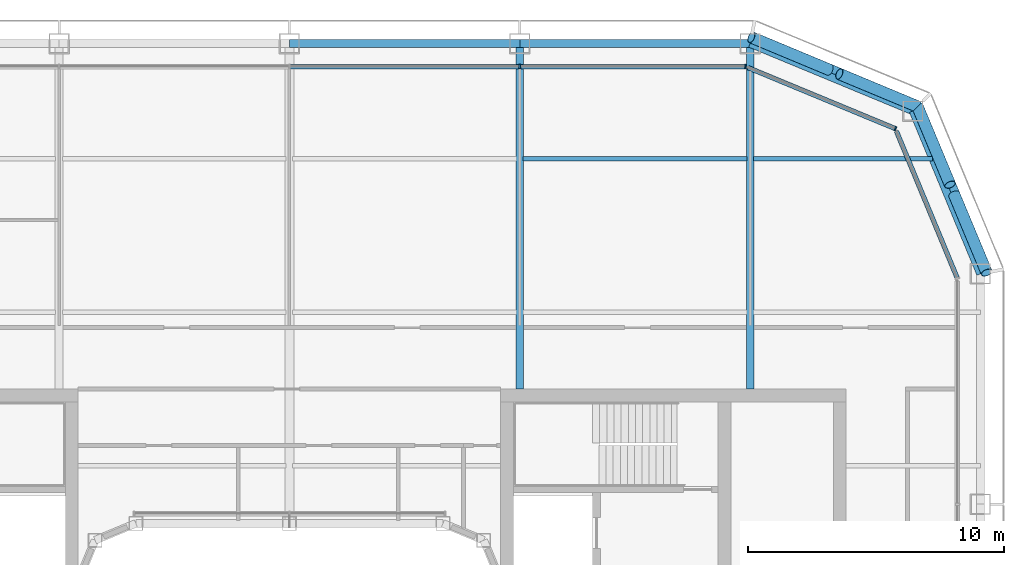
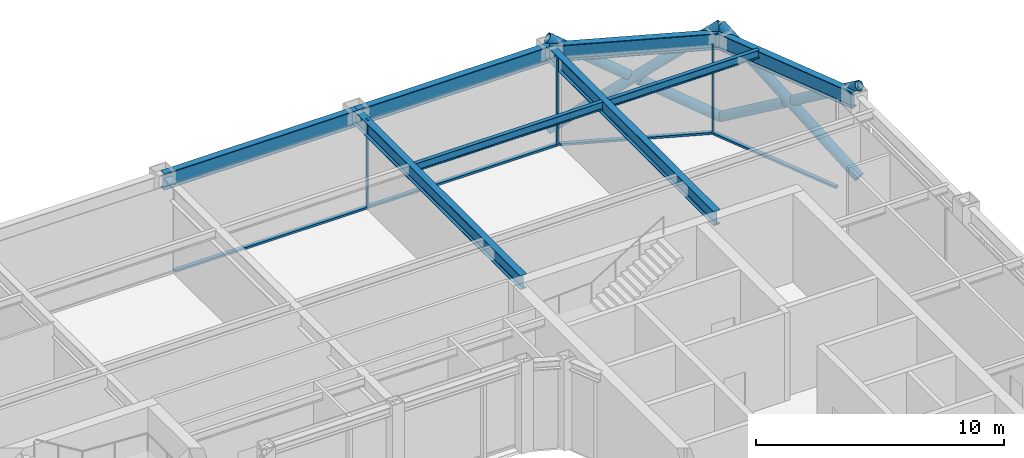
# One storey, part 10 of 23: 13 members, 8 beams, 3 elements without a shape of their own.
"""IFC4 building model written with IfcOpenShell, lengths in metres."""

from ifc_helpers import new_model, si_unit, direction, frame, origin, origin_2d, place, context, subcontext, project, spatial, rectangle, hollow_circle, i_section, extrude, material, layer, layer_set, material_profile, profile_set, type_object, element, aggregate, save


model = new_model("IFC4")

# Units and contexts
model_context = context("Model", 3, precision=1e-05, world=origin(), true_north=direction((0.0, 1.0)))
body_context = subcontext(model_context, "Body", "Model", "MODEL_VIEW")
ifc_project = project(units=[si_unit("LENGTHUNIT", "METRE"), si_unit("AREAUNIT", "SQUARE_METRE"), si_unit("VOLUMEUNIT", "CUBIC_METRE"), si_unit("PLANEANGLEUNIT", "RADIAN"), si_unit("MASSUNIT", "GRAM", prefix="KILO")], contexts=[model_context])

# Site, building, storey
site_placement = place(None, origin())
site = spatial("IfcSite", under=ifc_project, at=site_placement, CompositionType="ELEMENT")
building_placement = place(site_placement, origin())
building = spatial("IfcBuilding", under=site, at=building_placement, Name="Siwar Civic Tower", CompositionType="ELEMENT")
storey_placement = place(building_placement, frame((0.0, 0.0, 251.199951171875)))
storey = spatial("IfcBuildingStorey", under=building, at=storey_placement, Name="L54", CompositionType="ELEMENT", Elevation=251.199951171875)

# Curtain wall, member
ifc_material_1 = material(Name="Aluminium clad insulated panel", Category="aluminium")
ifc_layer_1 = layer(ifc_material_1, 0.179931640625)
ifc_layer_set_1 = layer_set([ifc_layer_1], Name="Aluminium clad insulated panel")
curtain_wall_type_1 = type_object("IfcCurtainWallType", Name="ENV-CW-CX", PredefinedType="NOTDEFINED", material=ifc_layer_set_1)
curtain_wall_1_placement = place(storey_placement, origin())
curtain_wall_1 = element("IfcCurtainWall", 1, at=curtain_wall_1_placement, inside=storey, type_object=curtain_wall_type_1, Name="Curtain wall C NE2", PredefinedType="NOTDEFINED")
ifc_material_2 = material(Name="Aluminium 6063-T6", Category="aluminium")
ifc_material_profile_1 = material_profile(ifc_material_2, rectangle(XDim=0.179931640625, YDim=0.06005859375, at=origin_2d()), Name="AL 180x60")
ifc_profile_set_1 = profile_set([ifc_material_profile_1], Name="Aluminium 6063-T6")
member_type_1 = type_object("IfcMemberType", Name="ENV-MULLION-C", PredefinedType="MULLION", material=ifc_profile_set_1)
member_1_placement = place(storey_placement, frame((23.675048828125, 23.675048828125, 0.0), z_axis=(0.0, 0.0, 1.0), x_axis=(-0.382683432365, -0.923879532511, 0.0)))
member_1 = element("IfcMember", 2, at=member_1_placement, type_object=member_type_1, Name="Mullion C NE2 1", PredefinedType="MULLION", context=body_context, shape_type="SweptSolid", body=[
    extrude(rectangle(XDim=0.179931640625, YDim=0.06005859375, at=origin_2d()), origin(), (0.0, 0.0, 1.0), 4.35009765625),
])

# Curtain wall, members
ifc_material_3 = material(Name="Aluminium and glass", Category="aluminium")
ifc_layer_2 = layer(ifc_material_3, 0.179931640625)
ifc_layer_set_2 = layer_set([ifc_layer_2], Name="Aluminium and glass")
curtain_wall_type_2 = type_object("IfcCurtainWallType", Name="ENV-CW-C", PredefinedType="NOTDEFINED", material=ifc_layer_set_2)
curtain_wall_2_placement = place(storey_placement, origin())
curtain_wall_2 = element("IfcCurtainWall", 3, at=curtain_wall_2_placement, inside=storey, type_object=curtain_wall_type_2, Name="Curtain wall C N", PredefinedType="NOTDEFINED")
member_2_placement = place(storey_placement, frame((17.821044921875, 26.10009765625, 0.0), z_axis=(0.0, 0.0, 1.0), x_axis=(0.0, -1.0, 0.0)))
member_2 = element("IfcMember", 4, at=member_2_placement, type_object=member_type_1, Name="Mullion C N 1", PredefinedType="MULLION", context=body_context, shape_type="SweptSolid", body=[
    extrude(rectangle(XDim=0.179931640625, YDim=0.06005859375, at=origin_2d()), origin(), (0.0, 0.0, 1.0), 4.35009765625),
])
member_3_placement = place(storey_placement, frame((9.0, 26.10009765625, 0.0), z_axis=(0.0, 0.0, 1.0), x_axis=(0.0, -1.0, 0.0)))
member_3 = element("IfcMember", 5, at=member_3_placement, type_object=member_type_1, Name="Mullion C N 2", PredefinedType="MULLION", context=body_context, shape_type="SweptSolid", body=[
    extrude(rectangle(XDim=0.179931640625, YDim=0.06005859375, at=origin_2d()), origin(), (0.0, 0.0, 1.0), 4.35009765625),
])

# Curtain wall, member
curtain_wall_3_placement = place(storey_placement, origin())
curtain_wall_3 = element("IfcCurtainWall", 6, at=curtain_wall_3_placement, inside=storey, type_object=curtain_wall_type_1, Name="Curtain wall C NE1", PredefinedType="NOTDEFINED")
ifc_material_4 = material(Name="Aluminium 6063-T6", Category="aluminium")
ifc_material_profile_2 = material_profile(ifc_material_4, rectangle(XDim=0.179931640625, YDim=0.10009765625, at=origin_2d()), Name="AL 180x100")
ifc_profile_set_2 = profile_set([ifc_material_profile_2], Name="Aluminium 6063-T6")
member_type_2 = type_object("IfcMemberType", Name="ENV-TRANSOM-C", PredefinedType="USERDEFINED", material=ifc_profile_set_2)
member_4_placement = place(storey_placement, frame((26.088623046875, 17.8486328125, 0.050048828125), z_axis=(-0.38267744817, 0.923882011223, 0.0), x_axis=(-0.923882011223, -0.38267744817, 0.0)))
member_4 = element("IfcMember", 7, at=member_4_placement, type_object=member_type_2, Name="Transom C NE1 1", ObjectType="TRANSOM", PredefinedType="USERDEFINED", context=body_context, shape_type="SweptSolid", body=[
    extrude(rectangle(XDim=0.179931640625, YDim=0.10009765625, at=origin_2d()), origin(), (0.0, 0.0, 1.0), 6.201904296875),
])
aggregate(curtain_wall_3, [member_4])

# Member
member_5_placement = place(storey_placement, frame((23.6474609375, 23.6865234375, 0.050048828125), z_axis=(-0.923876246063, 0.382691366456, 0.0), x_axis=(-0.382691366456, -0.923876246063, 0.0)))
member_5 = element("IfcMember", 8, at=member_5_placement, type_object=member_type_2, Name="Transom C NE2 1", ObjectType="TRANSOM", PredefinedType="USERDEFINED", context=body_context, shape_type="SweptSolid", body=[
    extrude(rectangle(XDim=0.179931640625, YDim=0.10009765625, at=origin_2d()), origin(), (0.0, 0.0, 1.0), 6.20166015625),
])

aggregate(curtain_wall_1, [member_1, member_5])

member_6_placement = place(storey_placement, frame((17.791015625, 26.10009765625, 0.050048828125), z_axis=(-1.0, 0.0, 0.0), x_axis=(0.0, -1.0, 0.0)))
member_6 = element("IfcMember", 9, at=member_6_placement, type_object=member_type_2, Name="Transom C N 1", ObjectType="TRANSOM", PredefinedType="USERDEFINED", context=body_context, shape_type="SweptSolid", body=[
    extrude(rectangle(XDim=0.179931640625, YDim=0.10009765625, at=origin_2d()), origin(), (0.0, 0.0, 1.0), 8.760986328125),
])

member_7_placement = place(storey_placement, frame((8.969970703125, 26.10009765625, 0.050048828125), z_axis=(-1.0, 0.0, 0.0), x_axis=(0.0, -1.0, 0.0)))
member_7 = element("IfcMember", 10, at=member_7_placement, type_object=member_type_2, Name="Transom C N 2", ObjectType="TRANSOM", PredefinedType="USERDEFINED", context=body_context, shape_type="SweptSolid", body=[
    extrude(rectangle(XDim=0.179931640625, YDim=0.10009765625, at=origin_2d()), origin(), (0.0, 0.0, 1.0), 8.93994140625),
])

aggregate(curtain_wall_2, [member_2, member_3, member_6, member_7])

# Members
ifc_material_5 = material(Name="Steel S355", Category="steel")
ifc_material_profile_3 = material_profile(ifc_material_5, hollow_circle(Radius=0.228515625, WallThickness=0.02001953125, at=origin_2d()), Name="CHS457x20")
ifc_profile_set_3 = profile_set([ifc_material_profile_3], Name="Steel S355")
member_type_3 = type_object("IfcMemberType", Name="STR-BR-CHS457x20", PredefinedType="BRACE", material=ifc_profile_set_3)
member_8_placement = place(storey_placement, frame((18.048828125, 27.2451171875, 0.0), z_axis=(0.777554562952, -0.323905527954, 0.538975055633), x_axis=(0.384538969033, 0.923108759191, 0.0)))
element("IfcMember", 11, at=member_8_placement, inside=storey, type_object=member_type_3, Name="L54/brc/CNE1-14-0-1", PredefinedType="BRACE", context=body_context, shape_type="SweptSolid", body=[
    extrude(hollow_circle(Radius=0.228515625, WallThickness=0.02001953125, at=origin_2d()), origin(), (0.0, 0.0, 1.0), 8.34912109375),
])
for number, where, z_axis, x_axis, name in (
    (12, (24.540771484375, 24.540771484375, 0.0), (-0.777546448489, 0.323884455881, 0.538999424564), (-0.38452107079, -0.92311621485, 0.0), "L54/brc/CNE1-14-0-2"),
    (13, (21.10302734375, 25.972900390625, 2.383056640625), (-0.777572496853, 0.323895306243, 0.538955325357), (-0.38452107079, -0.92311621485, 0.0), "L54/brc/CNE1-14-0-3"),
):
    element("IfcMember", number, at=place(storey_placement, frame(where, z_axis=z_axis, x_axis=x_axis)), inside=storey, type_object=member_type_3, Name=name, PredefinedType="BRACE", context=body_context, shape_type="SweptSolid", body=[
        extrude(hollow_circle(Radius=0.228515625, WallThickness=0.02001953125, at=origin_2d()), origin(), (0.0, 0.0, 1.0), 3.927978515625),
    ])
member_9_placement = place(storey_placement, frame((27.2451171875, 18.048828125, 0.0), z_axis=(-0.323905527954, 0.777554562952, 0.538975055633), x_axis=(-0.923108759191, -0.384538969033, 0.0)))
element("IfcMember", 14, at=member_9_placement, inside=storey, type_object=member_type_3, Name="L54/brc/CNE1-14-0-0", PredefinedType="BRACE", context=body_context, shape_type="SweptSolid", body=[
    extrude(hollow_circle(Radius=0.228515625, WallThickness=0.02001953125, at=origin_2d()), origin(), (0.0, 0.0, 1.0), 8.34912109375),
])
for number, where, z_axis, x_axis, name in (
    (15, (24.540771484375, 24.540771484375, 0.0), (0.323884455881, -0.777546448489, 0.538999424564), (0.92311621485, 0.38452107079, 0.0), "L54/brc/CNE1-14-0-4"),
    (16, (25.972900390625, 21.10302734375, 2.383056640625), (0.323895306243, -0.777572496853, 0.538955325357), (0.92311621485, 0.38452107079, 0.0), "L54/brc/CNE1-14-0-5"),
):
    element("IfcMember", number, at=place(storey_placement, frame(where, z_axis=z_axis, x_axis=x_axis)), inside=storey, type_object=member_type_3, Name=name, PredefinedType="BRACE", context=body_context, shape_type="SweptSolid", body=[
        extrude(hollow_circle(Radius=0.228515625, WallThickness=0.02001953125, at=origin_2d()), origin(), (0.0, 0.0, 1.0), 3.927978515625),
    ])

# Beams
ifc_material_6 = material(Name="Steel S355", Category="steel")
ifc_material_profile_4 = material_profile(ifc_material_6, i_section(OverallWidth=0.179931640625, OverallDepth=0.39990234375, WebThickness=0.008544921875, FlangeThickness=0.013427734375, FilletRadius=0.02099609375, at=origin_2d()), Name="IPE400")
ifc_profile_set_4 = profile_set([ifc_material_profile_4], Name="Steel S355")
beam_type_1 = type_object("IfcBeamType", Name="STR-FB-IPE400", PredefinedType="JOIST", material=ifc_profile_set_4)
beam_1_placement = place(storey_placement, frame((9.1298828125, 22.5, 4.150146484375), z_axis=(1.0, 0.0, 0.0), x_axis=(0.0, 1.0, 0.0)))
element("IfcBeam", 17, at=beam_1_placement, inside=storey, type_object=beam_type_1, Name="L54/bm/F041", PredefinedType="JOIST", context=body_context, shape_type="SweptSolid", body=[
    extrude(i_section(OverallWidth=0.179931640625, OverallDepth=0.39990234375, WebThickness=0.008544921875, FlangeThickness=0.013427734375, FilletRadius=0.02099609375, at=origin_2d()), origin(), (0.0, 0.0, 1.0), 8.740234375),
])
beam_2_placement = place(storey_placement, frame((18.1298828125, 22.5, 4.150146484375), z_axis=(1.0, 0.0, 0.0), x_axis=(0.0, 1.0, 0.0)))
element("IfcBeam", 18, at=beam_2_placement, inside=storey, type_object=beam_type_1, Name="L54/bm/F042", PredefinedType="JOIST", context=body_context, shape_type="SweptSolid", body=[
    extrude(i_section(OverallWidth=0.179931640625, OverallDepth=0.39990234375, WebThickness=0.008544921875, FlangeThickness=0.013427734375, FilletRadius=0.02099609375, at=origin_2d()), origin(), (0.0, 0.0, 1.0), 7.006103515625),
])
ifc_material_7 = material(Name="Steel S355", Category="steel")
ifc_material_profile_5 = material_profile(ifc_material_7, i_section(OverallWidth=0.300048828125, OverallDepth=0.699951171875, WebThickness=0.01708984375, FlangeThickness=0.031982421875, FilletRadius=0.027099609375, at=origin_2d()), Name="HEB700")
ifc_profile_set_5 = profile_set([ifc_material_profile_5], Name="Steel S355")
beam_type_2 = type_object("IfcBeamType", Name="STR-PG-HEB700", PredefinedType="BEAM", material=ifc_profile_set_5)
for number, where, z_axis, x_axis, name in (
    (19, (9.0, 13.5, 4.0), (0.0, 1.0, 0.0), (-1.0, 0.0, 0.0), "L54/bm/G08"),
    (20, (18.0, 13.5, 4.0), (0.0, 1.0, 0.0), (-1.0, 0.0, 0.0), "L54/bm/G10"),
):
    element("IfcBeam", number, at=place(storey_placement, frame(where, z_axis=z_axis, x_axis=x_axis)), inside=storey, type_object=beam_type_2, Name=name, PredefinedType="BEAM", context=body_context, shape_type="SweptSolid", body=[
        extrude(i_section(OverallWidth=0.300048828125, OverallDepth=0.699951171875, WebThickness=0.01708984375, FlangeThickness=0.031982421875, FilletRadius=0.027099609375, at=origin_2d()), origin(), (0.0, 0.0, 1.0), 13.5),
    ])
ifc_material_8 = material(Name="Steel S355", Category="steel")
ifc_material_profile_6 = material_profile(ifc_material_8, i_section(OverallWidth=0.300048828125, OverallDepth=0.800048828125, WebThickness=0.017578125, FlangeThickness=0.032958984375, FilletRadius=0.030029296875, at=origin_2d()), Name="HEB800")
ifc_profile_set_6 = profile_set([ifc_material_profile_6], Name="Steel S355")
beam_type_3 = type_object("IfcBeamType", Name="STR-SB-HEB800", PredefinedType="BEAM", material=ifc_profile_set_6)
for number, where, z_axis, x_axis, name in (
    (21, (27.0, 18.0, 3.949951171875), (-0.382674207535, 0.923883353507, 0.0), (-0.923883353507, -0.382674207535, 0.0), "L54/bm/SNE1-0"),
    (22, (24.364013671875, 24.364013671875, 3.949951171875), (-0.923883353507, 0.382674207535, 0.0), (-0.382674207535, -0.923883353507, 0.0), "L54/bm/SNE2-0"),
):
    element("IfcBeam", number, at=place(storey_placement, frame(where, z_axis=z_axis, x_axis=x_axis)), inside=storey, type_object=beam_type_3, Name=name, PredefinedType="BEAM", context=body_context, shape_type="SweptSolid", body=[
        extrude(i_section(OverallWidth=0.300048828125, OverallDepth=0.800048828125, WebThickness=0.017578125, FlangeThickness=0.032958984375, FilletRadius=0.030029296875, at=origin_2d()), origin(), (0.0, 0.0, 1.0), 6.888427734375),
    ])
for number, where, z_axis, x_axis, name in (
    (23, (18.0, 27.0, 3.949951171875), (-1.0, 0.0, 0.0), (0.0, -1.0, 0.0), "L54/bm/SN-0"),
    (24, (9.0, 27.0, 3.949951171875), (-1.0, 0.0, 0.0), (0.0, -1.0, 0.0), "L54/bm/SN-1"),
):
    element("IfcBeam", number, at=place(storey_placement, frame(where, z_axis=z_axis, x_axis=x_axis)), inside=storey, type_object=beam_type_3, Name=name, PredefinedType="BEAM", context=body_context, shape_type="SweptSolid", body=[
        extrude(i_section(OverallWidth=0.300048828125, OverallDepth=0.800048828125, WebThickness=0.017578125, FlangeThickness=0.032958984375, FilletRadius=0.030029296875, at=origin_2d()), origin(), (0.0, 0.0, 1.0), 9.0),
    ])

save(model, "model.ifc")
